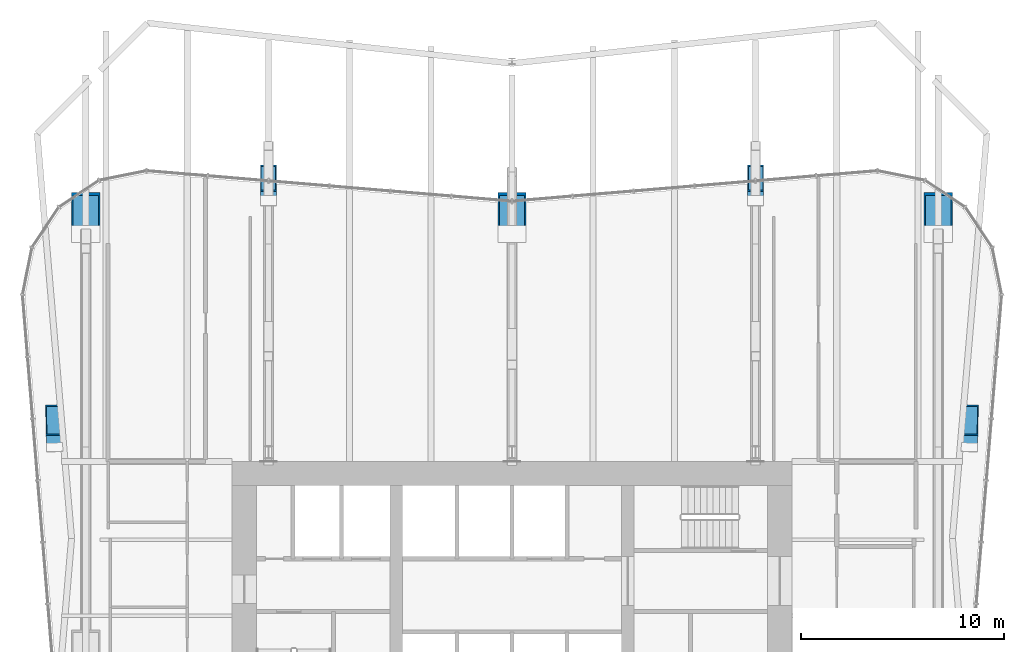
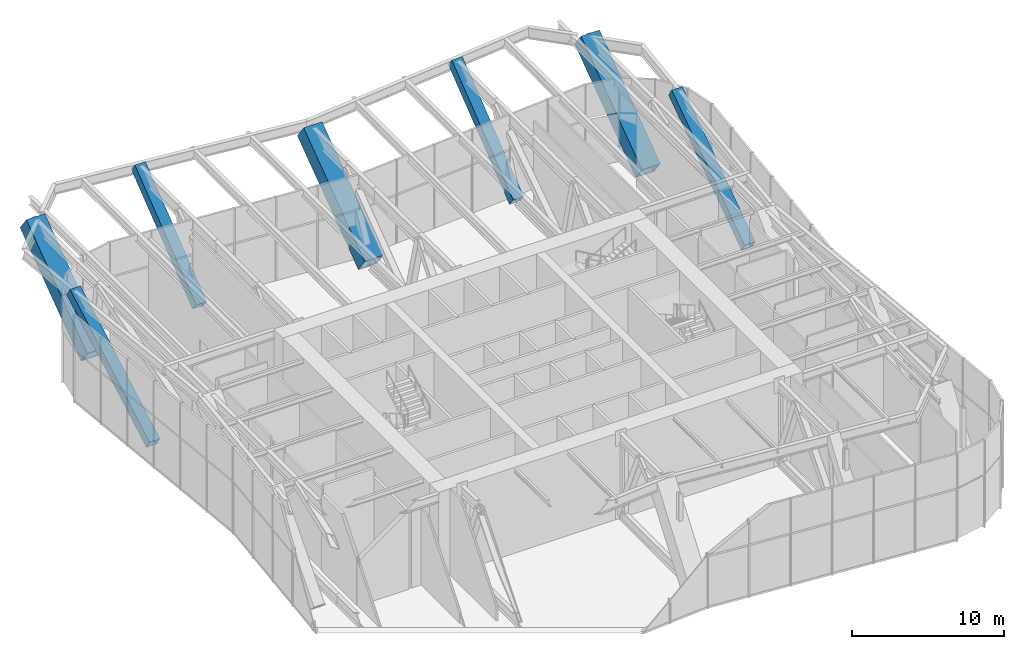
# One storey, part 3 of 17: 7 columns.
"""IFC4 building model written with IfcOpenShell, lengths in metres."""

from ifc_helpers import new_model, si_unit, direction, frame, origin, origin_2d, place, context, subcontext, project, spatial, hollow_rectangle, extrude, material, material_profile, profile_set, type_object, element, save


model = new_model("IFC4")

# Units and contexts
model_context = context("Model", 3, precision=1e-05, world=origin(), true_north=direction((0.0, 1.0)))
body_context = subcontext(model_context, "Body", "Model", "MODEL_VIEW")
ifc_project = project(units=[si_unit("LENGTHUNIT", "METRE"), si_unit("AREAUNIT", "SQUARE_METRE"), si_unit("VOLUMEUNIT", "CUBIC_METRE"), si_unit("PLANEANGLEUNIT", "RADIAN"), si_unit("MASSUNIT", "GRAM", prefix="KILO")], contexts=[model_context])

# Site, building, storey
site_placement = place(None, origin())
site = spatial("IfcSite", under=ifc_project, at=site_placement, CompositionType="ELEMENT")
building_placement = place(site_placement, origin())
building = spatial("IfcBuilding", under=site, at=building_placement, Name="Verdant Reach Tower", CompositionType="ELEMENT")
storey_placement = place(building_placement, frame((0.0, 0.0, 114.0)))
storey = spatial("IfcBuildingStorey", under=building, at=storey_placement, Name="L26 Plant", CompositionType="ELEMENT", Elevation=114.0)

# Columns
ifc_material = material(Name="Steel S460", Category="steel")
ifc_material_profile_1 = material_profile(ifc_material, hollow_rectangle(XDim=1.39990234375, YDim=1.39990234375, WallThickness=0.080078125, at=origin_2d()), Name="WB 1400x1400x80")
ifc_profile_set_1 = profile_set([ifc_material_profile_1], Name="Steel S460")
column_type_1 = type_object("IfcColumnType", Name="ST-COL-WB1400x1400x80", PredefinedType="COLUMN", material=ifc_profile_set_1)
for number, where, z_axis, x_axis, name in (
    (1, (-21.0, 50.0, 0.5732421875), (0.0, 0.8070371961, 0.590500604666), (-1.0, 0.0, 0.0), "Mega column north-west, L26 Plant"),
    (2, (0.0, 50.0, 0.5732421875), (0.0, 0.8070371961, 0.590500604666), (-1.0, 0.0, 0.0), "Mega column north, L26 Plant"),
    (3, (21.0, 50.0, 0.5732421875), (0.0, 0.8070371961, 0.590500604666), (-1.0, 0.0, 0.0), "Mega column north-east, L26 Plant"),
):
    element("IfcColumn", number, at=place(storey_placement, frame(where, z_axis=z_axis, x_axis=x_axis)), inside=storey, type_object=column_type_1, Name=name, PredefinedType="COLUMN", context=body_context, shape_type="SweptSolid", body=[
        extrude(hollow_rectangle(XDim=1.39990234375, YDim=1.39990234375, WallThickness=0.080078125, at=origin_2d()), origin(), (0.0, 0.0, 1.0), 9.912841796875),
    ])
ifc_material_profile_2 = material_profile(ifc_material, hollow_rectangle(XDim=0.800048828125, YDim=0.800048828125, WallThickness=0.0400390625, at=origin_2d()), Name="WB 800x800x40")
ifc_profile_set_2 = profile_set([ifc_material_profile_2], Name="Steel S460")
column_type_2 = type_object("IfcColumnType", Name="ST-COL-WB800x800x40", PredefinedType="COLUMN", material=ifc_profile_set_2)
for number, where, z_axis, x_axis, name in (
    (4, (-12.0, 51.64990234375, 0.3369140625), (0.0, 0.786264551358, 0.617890002571), (-1.0, 0.0, 0.0), "Perimeter column north 1, L26 Plant"),
    (5, (12.0, 51.64990234375, 0.3369140625), (0.0, 0.786264551358, 0.617890002571), (-1.0, 0.0, 0.0), "Perimeter column north 2, L26 Plant"),
):
    element("IfcColumn", number, at=place(storey_placement, frame(where, z_axis=z_axis, x_axis=x_axis)), inside=storey, type_object=column_type_2, Name=name, PredefinedType="COLUMN", context=body_context, shape_type="SweptSolid", body=[
        extrude(hollow_rectangle(XDim=0.800048828125, YDim=0.800048828125, WallThickness=0.0400390625, at=origin_2d()), origin(), (0.0, 0.0, 1.0), 10.23828125),
    ])
for number, where, z_axis, x_axis, name in (
    (6, (22.53369140625, 39.5, 0.368408203125), (0.02151346688, 0.847299618669, 0.530679307064), (-0.999677813854, 0.025382444492, 0.0), "Perimeter column east 2, L26 Plant"),
    (7, (-22.53369140625, 39.5, 0.368408203125), (-0.02151346688, 0.847299618669, 0.530679307064), (-0.999677813854, -0.025382444492, 0.0), "Perimeter column west 2, L26 Plant"),
):
    element("IfcColumn", number, at=place(storey_placement, frame(where, z_axis=z_axis, x_axis=x_axis)), inside=storey, type_object=column_type_2, Name=name, PredefinedType="COLUMN", context=body_context, shape_type="SweptSolid", body=[
        extrude(hollow_rectangle(XDim=0.800048828125, YDim=0.800048828125, WallThickness=0.0400390625, at=origin_2d()), origin(), (0.0, 0.0, 1.0), 11.80224609375),
    ])

save(model, "model.ifc")
